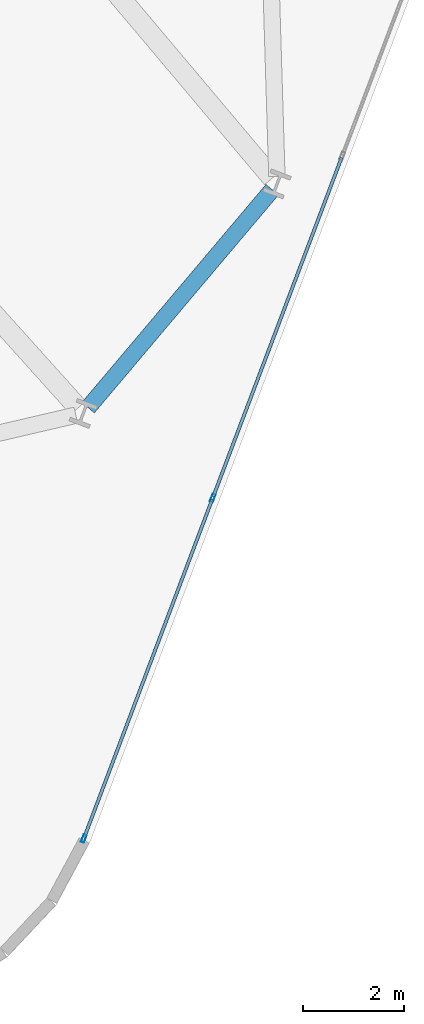
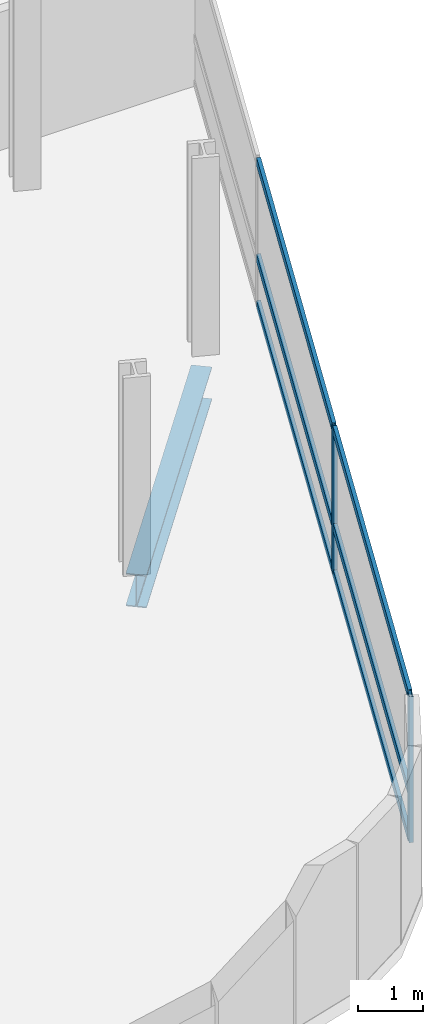
# One storey, part 10 of 24: 8 members, 1 beam, 1 element without a shape of its own.
"""IFC4 building model written with IfcOpenShell, lengths in metres."""

from ifc_helpers import new_model, si_unit, direction, frame, origin, origin_2d, place, context, subcontext, project, spatial, hollow_rectangle, i_section, extrude, material, layer, layer_set, material_profile, profile_set, type_object, element, aggregate, save


model = new_model("IFC4")

# Units and contexts
model_context = context("Model", 3, precision=1e-05, world=origin(), true_north=direction((0.0, 1.0)))
body_context = subcontext(model_context, "Body", "Model", "MODEL_VIEW")
ifc_project = project(units=[si_unit("LENGTHUNIT", "METRE"), si_unit("AREAUNIT", "SQUARE_METRE"), si_unit("VOLUMEUNIT", "CUBIC_METRE"), si_unit("PLANEANGLEUNIT", "RADIAN"), si_unit("MASSUNIT", "GRAM", prefix="KILO")], contexts=[model_context])

# Site, building, storey
site_placement = place(None, origin())
site = spatial("IfcSite", under=ifc_project, at=site_placement, CompositionType="ELEMENT")
building_placement = place(site_placement, origin())
building = spatial("IfcBuilding", under=site, at=building_placement, Name="Varnelok Gate Tower", CompositionType="ELEMENT")
storey_placement = place(building_placement, frame((0.0, 0.0, 87.300048828125)))
storey = spatial("IfcBuildingStorey", under=building, at=storey_placement, Name="L21", CompositionType="ELEMENT", Elevation=87.300048828125)

# Beam
ifc_material_1 = material(Name="Structural Steel ASTM A992 Grade 50", Category="steel")
ifc_material_profile_1 = material_profile(ifc_material_1, i_section(OverallWidth=0.323974609375, OverallDepth=0.611083984375, WebThickness=0.0126953125, FlangeThickness=0.01904296875, FilletRadius=0.01806640625, at=origin_2d()), Name="W24X104")
ifc_profile_set_1 = profile_set([ifc_material_profile_1], Name="Structural Steel ASTM A992 Grade 50")
beam_type = type_object("IfcBeamType", Name="BM-SPN-W24X104", PredefinedType="SPANDREL", material=ifc_profile_set_1)
beam_placement = place(storey_placement, frame((67.7333984375, 3.7421875, -0.5556640625), z_axis=(0.645380340265, 0.763861385592, 0.0), x_axis=(-0.763861385592, 0.645380340265, 0.0)))
element("IfcBeam", 1, at=beam_placement, inside=storey, type_object=beam_type, Name="L21 Perimeter Spandrel Beam 6", PredefinedType="SPANDREL", context=body_context, shape_type="SweptSolid", body=[
    extrude(i_section(OverallWidth=0.323974609375, OverallDepth=0.611083984375, WebThickness=0.0126953125, FlangeThickness=0.01904296875, FilletRadius=0.01806640625, at=origin_2d()), origin(), (0.0, 0.0, 1.0), 5.650146484375),
])

# Curtain wall, members
ifc_material_2 = material(Name="Anodized Aluminum Alloy 6063-T6", Category="aluminium")
ifc_layer = layer(ifc_material_2, 0.179931640625)
ifc_layer_set = layer_set([ifc_layer], Name="Anodized Aluminum Alloy 6063-T6")
curtain_wall_type = type_object("IfcCurtainWallType", Name="CW3-HOTEL-VISION", PredefinedType="USERDEFINED", material=ifc_layer_set)
curtain_wall_placement = place(storey_placement, origin())
curtain_wall = element("IfcCurtainWall", 2, at=curtain_wall_placement, inside=storey, type_object=curtain_wall_type, Name="L21 East End Vision Curtain Wall", ObjectType="UNITISED CURTAIN WALL", PredefinedType="USERDEFINED")
ifc_material_profile_2 = material_profile(ifc_material_2, hollow_rectangle(XDim=0.06494140625, YDim=0.159912109375, WallThickness=0.00390625, at=origin_2d()), Name="ALU160X65X4")
ifc_profile_set_2 = profile_set([ifc_material_profile_2], Name="Anodized Aluminum Alloy 6063-T6")
member_type_1 = type_object("IfcMemberType", Name="CW-MULL-160", PredefinedType="MULLION", material=ifc_profile_set_2)
member_1_placement = place(storey_placement, frame((70.201171875, 1.951171875, 0.0), z_axis=(0.0, 0.0, 1.0), x_axis=(0.935221323688, -0.354063660545, 0.0)))
member_1 = element("IfcMember", 3, at=member_1_placement, type_object=member_type_1, Name="CW3 mullion 5", PredefinedType="MULLION", context=body_context, shape_type="SweptSolid", body=[
    extrude(hollow_rectangle(XDim=0.06494140625, YDim=0.159912109375, WallThickness=0.00390625, at=origin_2d()), origin(), (0.0, 0.0, 1.0), 2.72998046875),
])
member_2_placement = place(storey_placement, frame((67.6494140625, -4.78955078125, 0.0), z_axis=(0.0, 0.0, 1.0), x_axis=(0.935221323688, -0.354063660545, 0.0)))
member_2 = element("IfcMember", 4, at=member_2_placement, type_object=member_type_1, Name="CW3 mullion 6", PredefinedType="MULLION", context=body_context, shape_type="SweptSolid", body=[
    extrude(hollow_rectangle(XDim=0.06494140625, YDim=0.159912109375, WallThickness=0.00390625, at=origin_2d()), origin(), (0.0, 0.0, 1.0), 2.72998046875),
])
ifc_material_profile_3 = material_profile(ifc_material_2, hollow_rectangle(XDim=0.06494140625, YDim=0.159912109375, WallThickness=0.00390625, at=origin_2d()), Name="ALU160X65X4")
ifc_profile_set_3 = profile_set([ifc_material_profile_3], Name="Anodized Aluminum Alloy 6063-T6")
member_type_2 = type_object("IfcMemberType", Name="CW-TRAN-160", PredefinedType="USERDEFINED", material=ifc_profile_set_3)
member_3_placement = place(storey_placement, frame((72.753173828125, 8.691650390625, 0.032470703125), z_axis=(-0.354078724634, -0.935215620465, 0.0), x_axis=(0.935215620465, -0.354078724634, 0.0)))
member_3 = element("IfcMember", 5, at=member_3_placement, type_object=member_type_2, Name="CW3 transom 4.1", ObjectType="TRANSOM", PredefinedType="USERDEFINED", context=body_context, shape_type="SweptSolid", body=[
    extrude(hollow_rectangle(XDim=0.06494140625, YDim=0.159912109375, WallThickness=0.00390625, at=origin_2d()), origin(), (0.0, 0.0, 1.0), 7.175048828125),
])
member_4_placement = place(storey_placement, frame((72.753173828125, 8.691650390625, 0.89990234375), z_axis=(-0.354078724634, -0.935215620465, 0.0), x_axis=(0.935215620465, -0.354078724634, 0.0)))
member_4 = element("IfcMember", 6, at=member_4_placement, type_object=member_type_2, Name="CW3 transom 4.2", ObjectType="TRANSOM", PredefinedType="USERDEFINED", context=body_context, shape_type="SweptSolid", body=[
    extrude(hollow_rectangle(XDim=0.06494140625, YDim=0.159912109375, WallThickness=0.00390625, at=origin_2d()), origin(), (0.0, 0.0, 1.0), 7.175048828125),
])
member_5_placement = place(storey_placement, frame((72.753173828125, 8.691650390625, 2.697509765625), z_axis=(-0.354078724634, -0.935215620465, 0.0), x_axis=(0.935215620465, -0.354078724634, 0.0)))
member_5 = element("IfcMember", 7, at=member_5_placement, type_object=member_type_2, Name="CW3 transom 4.3", ObjectType="TRANSOM", PredefinedType="USERDEFINED", context=body_context, shape_type="SweptSolid", body=[
    extrude(hollow_rectangle(XDim=0.06494140625, YDim=0.159912109375, WallThickness=0.00390625, at=origin_2d()), origin(), (0.0, 0.0, 1.0), 7.175048828125),
])
member_6_placement = place(storey_placement, frame((70.189697265625, 1.920654296875, 0.032470703125), z_axis=(-0.354058568643, -0.935223251406, 0.0), x_axis=(0.935223251406, -0.354058568643, 0.0)))
member_6 = element("IfcMember", 8, at=member_6_placement, type_object=member_type_2, Name="CW3 transom 5.1", ObjectType="TRANSOM", PredefinedType="USERDEFINED", context=body_context, shape_type="SweptSolid", body=[
    extrude(hollow_rectangle(XDim=0.06494140625, YDim=0.159912109375, WallThickness=0.00390625, at=origin_2d()), origin(), (0.0, 0.0, 1.0), 7.142333984375),
])
member_7_placement = place(storey_placement, frame((70.189697265625, 1.920654296875, 0.89990234375), z_axis=(-0.354058568643, -0.935223251406, 0.0), x_axis=(0.935223251406, -0.354058568643, 0.0)))
member_7 = element("IfcMember", 9, at=member_7_placement, type_object=member_type_2, Name="CW3 transom 5.2", ObjectType="TRANSOM", PredefinedType="USERDEFINED", context=body_context, shape_type="SweptSolid", body=[
    extrude(hollow_rectangle(XDim=0.06494140625, YDim=0.159912109375, WallThickness=0.00390625, at=origin_2d()), origin(), (0.0, 0.0, 1.0), 7.142333984375),
])
member_8_placement = place(storey_placement, frame((70.189697265625, 1.920654296875, 2.697509765625), z_axis=(-0.354058568643, -0.935223251406, 0.0), x_axis=(0.935223251406, -0.354058568643, 0.0)))
member_8 = element("IfcMember", 10, at=member_8_placement, type_object=member_type_2, Name="CW3 transom 5.3", ObjectType="TRANSOM", PredefinedType="USERDEFINED", context=body_context, shape_type="SweptSolid", body=[
    extrude(hollow_rectangle(XDim=0.06494140625, YDim=0.159912109375, WallThickness=0.00390625, at=origin_2d()), origin(), (0.0, 0.0, 1.0), 7.142333984375),
])
aggregate(curtain_wall, [member_1, member_2, member_3, member_4, member_5, member_6, member_7, member_8])

save(model, "model.ifc")
